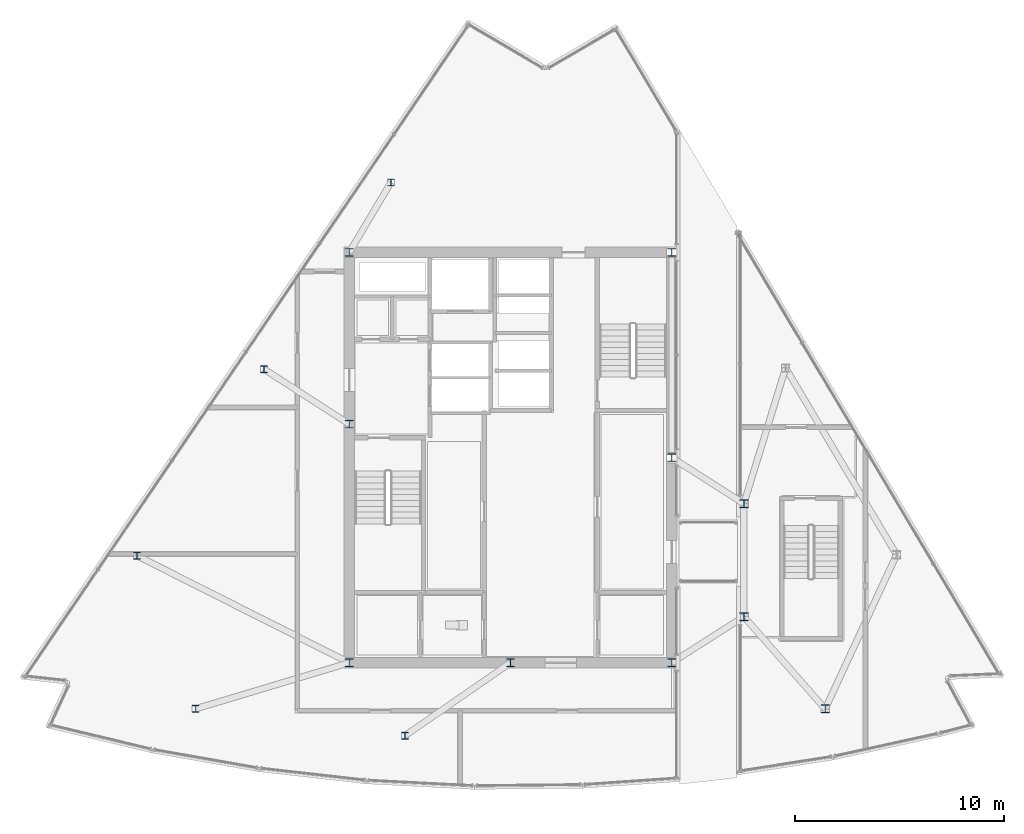
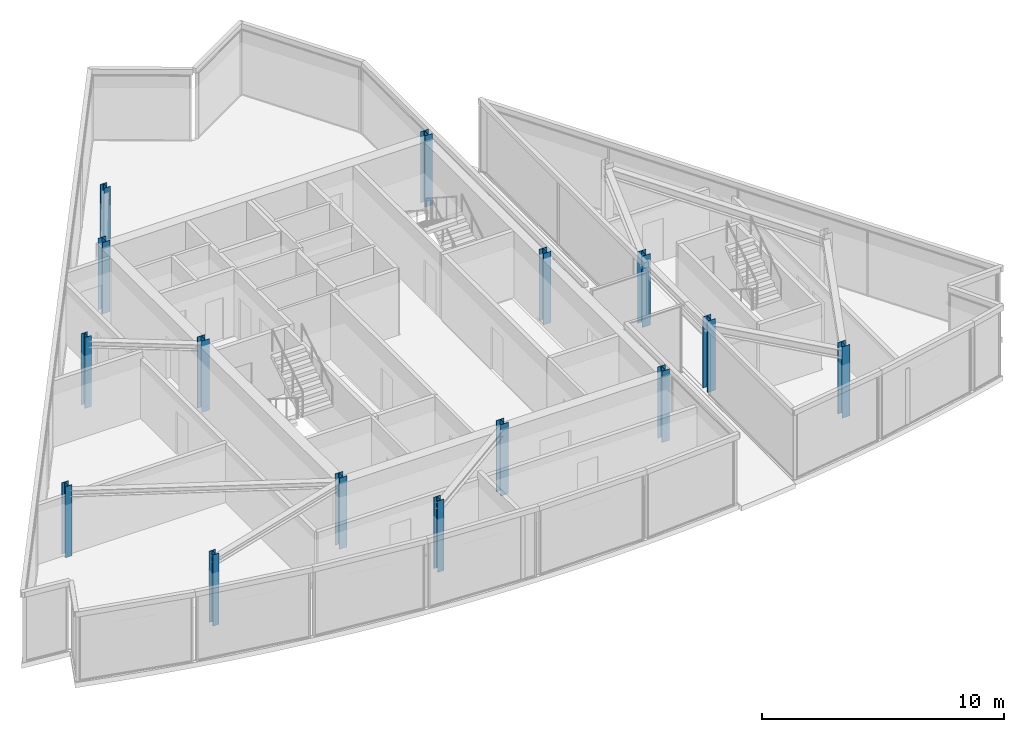
# One storey, part 1 of 15: 15 columns.
"""IFC4 building model written with IfcOpenShell, lengths in metres."""

import ifcopenshell
import ifcopenshell.guid

model = None  # the IFC model being written
_history = None  # IfcOwnerHistory: only IFC2X3 demands one
_inside = {}  # id of a spatial element -> (the spatial element, [elements in it])
_under = {}  # id of a project, library or spatial element -> (it, [spatial elements below it])
_declared = {}  # id of a project -> (the project, [libraries it declares])
_typed = {}  # id of a type object -> (the type object, [elements of that type])
_made_of = {}  # id of a material, layer set ... -> (it, [elements and type objects made of it])


def new_model(schema):
    """Start an empty IFC model of exactly this schema.

    Asked for "IFC4X3", IfcOpenShell would pick the latest addendum, in which some entities
    have other attributes; the version numbers below select the first issue.
    IFC2X3 requires an IfcOwnerHistory on every rooted entity: one is made here for all.
    """
    global model, _history
    if schema == "IFC4X3":
        model = ifcopenshell.file(schema_version=(4, 3, 0, 0))
    else:
        model = ifcopenshell.file(schema=schema)
    _inside.clear()
    _under.clear()
    _declared.clear()
    _typed.clear()
    _made_of.clear()
    _history = None
    if model.schema == "IFC2X3":
        org = make("IfcOrganization", Name="unknown")
        user = make(
            "IfcPersonAndOrganization",
            ThePerson=make("IfcPerson", FamilyName="unknown"),
            TheOrganization=org,
        )
        app = make(
            "IfcApplication",
            ApplicationDeveloper=org,
            Version="unknown",
            ApplicationFullName="unknown",
            ApplicationIdentifier="unknown",
        )
        _history = make(
            "IfcOwnerHistory",
            OwningUser=user,
            OwningApplication=app,
            ChangeAction="ADDED",
            CreationDate=0,
        )
    return model


def make(cls, **values):
    """One entity of the class cls with the attributes given. An attribute that is None is left unset."""
    return model.create_entity(
        cls, **{name: value for name, value in values.items() if value is not None}
    )


def rooted(cls, **values):
    """An entity with a GlobalId (a new one), such as an element, a storey or a relation."""
    return make(cls, GlobalId=ifcopenshell.guid.new(), OwnerHistory=_history, **values)


def si_unit(unit_type, name, prefix=None):
    """IfcSIUnit, for example si_unit("LENGTHUNIT", "METRE", prefix="MILLI")."""
    return make("IfcSIUnit", UnitType=unit_type, Prefix=prefix, Name=name)


def assignment(units):
    """IfcUnitAssignment: the units of a project."""
    return None if units is None else make("IfcUnitAssignment", Units=units)


def point(xyz):
    """IfcCartesianPoint."""
    return None if xyz is None else make("IfcCartesianPoint", Coordinates=xyz)


def direction(xyz):
    """IfcDirection."""
    return None if xyz is None else make("IfcDirection", DirectionRatios=xyz)


def frame(location, z_axis=None, x_axis=None):
    """IfcAxis2Placement3D, a coordinate frame: its origin and axes. An axis left out is left unset."""
    return make(
        "IfcAxis2Placement3D",
        Location=point(location),
        Axis=direction(z_axis),
        RefDirection=direction(x_axis),
    )


def frame_2d(location, x_axis=None):
    """IfcAxis2Placement2D, a coordinate frame in the plane: its origin and x axis."""
    return make(
        "IfcAxis2Placement2D", Location=point(location), RefDirection=direction(x_axis)
    )


def origin():
    """The frame at (0, 0, 0) with its axes left unset."""
    return frame((0.0, 0.0, 0.0))


def origin_2d():
    """The frame at (0, 0) in the plane with its x axis left unset."""
    return frame_2d((0.0, 0.0))


def place(relative_to, where):
    """IfcLocalPlacement: puts the frame where relative to a parent placement (None: the world)."""
    return make(
        "IfcLocalPlacement", PlacementRelTo=relative_to, RelativePlacement=where
    )


def context(
    kind, dimensions, precision=None, world=None, true_north=None, identifier=None
):
    """IfcGeometricRepresentationContext, for example the 3D "Model" context."""
    return make(
        "IfcGeometricRepresentationContext",
        ContextIdentifier=identifier,
        ContextType=kind,
        CoordinateSpaceDimension=dimensions,
        Precision=precision,
        WorldCoordinateSystem=world,
        TrueNorth=true_north,
    )


def subcontext(parent, identifier, kind, view, scale=None):
    """IfcGeometricRepresentationSubContext, for example "Body" below "Model"."""
    return make(
        "IfcGeometricRepresentationSubContext",
        ContextIdentifier=identifier,
        ContextType=kind,
        ParentContext=parent,
        TargetScale=scale,
        TargetView=view,
    )


def project(units=None, contexts=None):
    """IfcProject with its units and contexts."""
    return rooted(
        "IfcProject",
        Name="project",
        RepresentationContexts=contexts,
        UnitsInContext=assignment(units),
    )


def spatial(cls, under=None, at=None, **own):
    """A site, building, storey or space (cls), placed at a placement, below another one or the project."""
    s = rooted(cls, ObjectPlacement=at, **own)
    if under is not None:
        _under.setdefault(under.id(), (under, []))[1].append(s)
    return s


def profile(cls, at=None, kind="AREA", **sizes):
    """A parametric profile (cls). Its sizes go by their IFC names, for example OverallWidth=200.0."""
    return make(cls, ProfileType=kind, Position=at, **sizes)


def i_section(**sizes):
    """IfcIShapeProfileDef."""
    return profile("IfcIShapeProfileDef", **sizes)


def extrude(swept, where, along, depth):
    """IfcExtrudedAreaSolid: the profile swept, set in the frame where, extruded along a direction by depth."""
    return make(
        "IfcExtrudedAreaSolid",
        SweptArea=swept,
        Position=where,
        ExtrudedDirection=direction(along),
        Depth=depth,
    )


def shape(context_of_items, identifier, shape_type, items):
    """IfcShapeRepresentation: the items that make up one representation, for example the "Body"."""
    return make(
        "IfcShapeRepresentation",
        ContextOfItems=context_of_items,
        RepresentationIdentifier=identifier,
        RepresentationType=shape_type,
        Items=items,
    )


def material(Name=None, Category=None):
    """IfcMaterial."""
    return make("IfcMaterial", Name=Name, Category=Category)


def material_profile(
    of_material, cross_section, Name=None, Category=None, Priority=None
):
    """IfcMaterialProfile: a cross section and its material."""
    return make(
        "IfcMaterialProfile",
        Name=Name,
        Material=of_material,
        Profile=cross_section,
        Priority=Priority,
        Category=Category,
    )


def profile_set(profiles, Name=None, composite=None):
    """IfcMaterialProfileSet."""
    return make(
        "IfcMaterialProfileSet",
        Name=Name,
        MaterialProfiles=profiles,
        CompositeProfile=composite,
    )


def made_of(thing, what):
    """Note that an element or type object is made of a material, layer set ...; save() writes the relation."""
    if what is not None:
        _made_of.setdefault(what.id(), (what, []))[1].append(thing)
    return thing


def type_object(cls, material=None, **own):
    """A type object (cls), such as IfcWallType, which elements share."""
    return made_of(rooted(cls, **own), material)


def element(
    cls,
    number,
    at=None,
    inside=None,
    cuts=None,
    type_object=None,
    material=None,
    context=None,
    identifier="Body",
    shape_type=None,
    held_by="IfcProductDefinitionShape",
    body=None,
    shapes=None,
    **own,
):
    """One element of the class cls, such as IfcWall. Its Tag is "e" and its number.

    at: its placement. inside: the storey or other place that contains it. cuts: it is an
    opening in that element (IfcRelVoidsElement). A single representation is given by context,
    identifier, shape_type and body (its items); several are given by shapes. held_by: the class
    of the entity that holds the representations. save() writes the other relations.
    """
    e = rooted(cls, Tag="e%d" % number, ObjectPlacement=at, **own)
    if body is not None:
        shapes = [shape(context, identifier, shape_type, body)]
    if shapes is not None:
        e.Representation = make(held_by, Representations=shapes)
    if inside is not None:
        _inside.setdefault(inside.id(), (inside, []))[1].append(e)
    if cuts is not None:
        rooted(
            "IfcRelVoidsElement", RelatingBuildingElement=cuts, RelatedOpeningElement=e
        )
    if type_object is not None:
        _typed.setdefault(type_object.id(), (type_object, []))[1].append(e)
    return made_of(e, material)


def aggregate(whole, parts):
    """IfcRelAggregates: a whole, such as a stair, and the parts it consists of."""
    return rooted("IfcRelAggregates", RelatingObject=whole, RelatedObjects=parts)


def save(model, path):
    """Write the relations noted so far, then the file.

    IfcRelAggregates (storeys below a building ...), IfcRelContainedInSpatialStructure (elements
    in a storey), IfcRelDefinesByType, IfcRelAssociatesMaterial and IfcRelDeclares: one each for
    every whole, place, type object, material and project.
    """
    for whole, parts in _under.values():
        aggregate(whole, parts)
    for where, things in _inside.values():
        rooted(
            "IfcRelContainedInSpatialStructure",
            RelatedElements=things,
            RelatingStructure=where,
        )
    for kind, things in _typed.values():
        rooted("IfcRelDefinesByType", RelatedObjects=things, RelatingType=kind)
    for what, things in _made_of.values():
        rooted("IfcRelAssociatesMaterial", RelatedObjects=things, RelatingMaterial=what)
    for by, libraries in _declared.values():
        rooted("IfcRelDeclares", RelatingContext=by, RelatedDefinitions=libraries)
    model.write(path)


model = new_model("IFC4")

# Units and contexts
model_context = context("Model", 3, precision=1e-05, world=origin(), true_north=direction((0.0, 1.0)))
body_context = subcontext(model_context, "Body", "Model", "MODEL_VIEW")
ifc_project = project(units=[si_unit("LENGTHUNIT", "METRE"), si_unit("AREAUNIT", "SQUARE_METRE"), si_unit("VOLUMEUNIT", "CUBIC_METRE"), si_unit("PLANEANGLEUNIT", "RADIAN"), si_unit("MASSUNIT", "GRAM", prefix="KILO")], contexts=[model_context])

# Site, building, storey
site_placement = place(None, origin())
site = spatial("IfcSite", under=ifc_project, at=site_placement, CompositionType="ELEMENT")
building_placement = place(site_placement, origin())
building = spatial("IfcBuilding", under=site, at=building_placement, Name="Savorim Split Tower", CompositionType="ELEMENT")
storey_placement = place(building_placement, frame((0.0, 0.0, 297.60009765625)))
storey = spatial("IfcBuildingStorey", under=building, at=storey_placement, Name="Crown L79 Plant", CompositionType="ELEMENT", Elevation=297.60009765625)

# Columns
ifc_material = material(Name="Steel S355", Category="steel")
ifc_material_profile_1 = material_profile(ifc_material, i_section(OverallWidth=0.30908203125, OverallDepth=0.330078125, WebThickness=0.011474609375, FlangeThickness=0.01904296875, FilletRadius=0.027099609375, at=origin_2d()), Name="HD 320x158")
ifc_profile_set_1 = profile_set([ifc_material_profile_1], Name="Steel S355")
column_type_1 = type_object("IfcColumnType", Name="COL-HD-158", PredefinedType="COLUMN", material=ifc_profile_set_1)
for number, where, z_axis, x_axis, name in (
    (1, (-15.037109375, -11.6015625, 0.0), (0.0, 0.0, 1.0), (1.0, 0.0, 0.0), "Crown L79 Plant West Crown Column WC-1"),
    (2, (-5.039794921875, -12.885009765625, 0.0), (0.0, 0.0, 1.0), (1.0, 0.0, 0.0), "Crown L79 Plant West Crown Column WC-2"),
    (3, (-17.84033203125, -4.288818359375, 0.0), (0.0, 0.0, 1.0), (1.0, 0.0, 0.0), "Crown L79 Plant West Crown Column WC-3"),
    (4, (-11.775390625, 4.626708984375, 0.0), (0.0, 0.0, 1.0), (1.0, 0.0, 0.0), "Crown L79 Plant West Crown Column WC-4"),
    (5, (-5.710205078125, 13.542236328125, 0.0), (0.0, 0.0, 1.0), (1.0, 0.0, 0.0), "Crown L79 Plant West Crown Column WC-5"),
):
    element("IfcColumn", number, at=place(storey_placement, frame(where, z_axis=z_axis, x_axis=x_axis)), inside=storey, type_object=column_type_1, Name=name, PredefinedType="COLUMN", context=body_context, shape_type="SweptSolid", body=[
        extrude(i_section(OverallWidth=0.30908203125, OverallDepth=0.330078125, WebThickness=0.011474609375, FlangeThickness=0.01904296875, FilletRadius=0.027099609375, at=origin_2d()), origin(), (0.0, 0.0, 1.0), 3.599853515625),
    ])
ifc_material_profile_2 = material_profile(ifc_material, i_section(OverallWidth=0.3740234375, OverallDepth=0.3720703125, WebThickness=0.01220703125, FlangeThickness=0.02001953125, FilletRadius=0.014892578125, at=origin_2d()), Name="HD 360x196")
ifc_profile_set_2 = profile_set([ifc_material_profile_2], Name="Steel S355")
column_type_2 = type_object("IfcColumnType", Name="COL-HD-196", PredefinedType="COLUMN", material=ifc_profile_set_2)
for number, where, z_axis, x_axis, name in (
    (6, (-7.699951171875, -9.39990234375, 0.0), (0.0, 0.0, 1.0), (1.0, 0.0, 0.0), "Crown L79 Plant Core Structural Column TC-C1"),
    (7, (7.699951171875, -9.39990234375, 0.0), (0.0, 0.0, 1.0), (1.0, 0.0, 0.0), "Crown L79 Plant Core Structural Column TC-C2"),
    (8, (7.699951171875, 10.199951171875, 0.0), (0.0, 0.0, 1.0), (1.0, 0.0, 0.0), "Crown L79 Plant Core Structural Column TC-C3"),
    (9, (-7.699951171875, 10.199951171875, 0.0), (0.0, 0.0, 1.0), (1.0, 0.0, 0.0), "Crown L79 Plant Core Structural Column TC-C4"),
    (10, (0.0, -9.39990234375, 0.0), (0.0, 0.0, 1.0), (1.0, 0.0, 0.0), "Crown L79 Plant Core Structural Column TC-C5"),
    (11, (7.699951171875, 0.39990234375, 0.0), (0.0, 0.0, 1.0), (1.0, 0.0, 0.0), "Crown L79 Plant Core Structural Column TC-C6"),
    (12, (-7.699951171875, 2.0, 0.0), (0.0, 0.0, 1.0), (1.0, 0.0, 0.0), "Crown L79 Plant Core Structural Column TC-C7"),
    (13, (15.037109375, -11.6015625, 0.0), (0.0, 0.0, 1.0), (1.0, 0.0, 0.0), "Crown L79 Plant East Crown Column EC-1"),
):
    element("IfcColumn", number, at=place(storey_placement, frame(where, z_axis=z_axis, x_axis=x_axis)), inside=storey, type_object=column_type_2, Name=name, PredefinedType="COLUMN", context=body_context, shape_type="SweptSolid", body=[
        extrude(i_section(OverallWidth=0.3740234375, OverallDepth=0.3720703125, WebThickness=0.01220703125, FlangeThickness=0.02001953125, FilletRadius=0.014892578125, at=origin_2d()), origin(), (0.0, 0.0, 1.0), 3.599853515625),
    ])
ifc_material_profile_3 = material_profile(ifc_material, i_section(OverallWidth=0.39794921875, OverallDepth=0.386962890625, WebThickness=0.013427734375, FlangeThickness=0.02197265625, FilletRadius=0.014892578125, at=origin_2d()), Name="HD 400x262")
ifc_profile_set_3 = profile_set([ifc_material_profile_3], Name="Steel S355")
column_type_3 = type_object("IfcColumnType", Name="COL-HD-262", PredefinedType="COLUMN", material=ifc_profile_set_3)
for number, where, z_axis, x_axis, name in (
    (14, (11.14990234375, -7.199951171875, 0.0), (0.0, 0.0, 1.0), (1.0, 0.0, 0.0), "Crown L79 Plant East Crown Slot Column ECS-1"),
    (15, (11.14990234375, -1.800048828125, 0.0), (0.0, 0.0, 1.0), (1.0, 0.0, 0.0), "Crown L79 Plant East Crown Slot Column ECS-2"),
):
    element("IfcColumn", number, at=place(storey_placement, frame(where, z_axis=z_axis, x_axis=x_axis)), inside=storey, type_object=column_type_3, Name=name, PredefinedType="COLUMN", context=body_context, shape_type="SweptSolid", body=[
        extrude(i_section(OverallWidth=0.39794921875, OverallDepth=0.386962890625, WebThickness=0.013427734375, FlangeThickness=0.02197265625, FilletRadius=0.014892578125, at=origin_2d()), origin(), (0.0, 0.0, 1.0), 3.599853515625),
    ])

save(model, "model.ifc")
